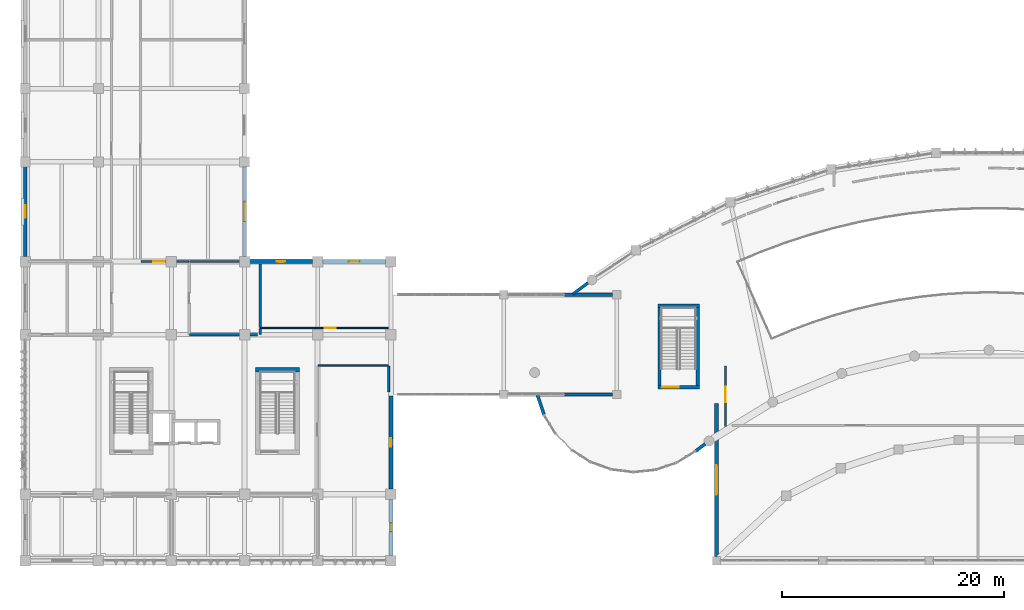
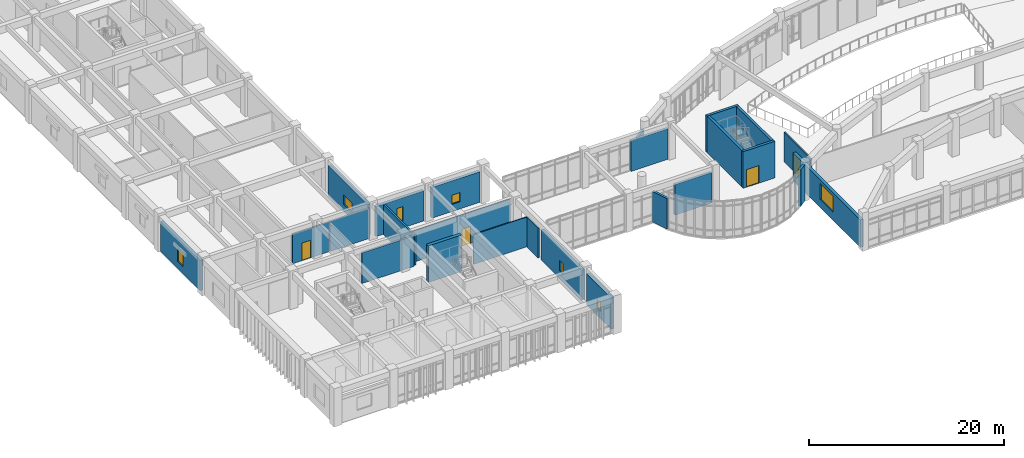
# One storey, part 49 of 68: 26 walls, 7 windows, 4 doors, 11 openings.
"""IFC4 building model written with IfcOpenShell, lengths in metres."""

from ifc_helpers import new_model, si_unit, direction, frame, frame_2d, origin, place, context, subcontext, project, spatial, rectangle, extrude, material, layer, layer_set, type_object, element, fill, save


model = new_model("IFC4")

# Units and contexts
model_context = context("Model", 3, precision=1e-05, world=origin(), true_north=direction((0.0, 1.0)))
body_context = subcontext(model_context, "Body", "Model", "MODEL_VIEW")
ifc_project = project(units=[si_unit("LENGTHUNIT", "METRE"), si_unit("AREAUNIT", "SQUARE_METRE"), si_unit("VOLUMEUNIT", "CUBIC_METRE"), si_unit("PLANEANGLEUNIT", "RADIAN"), si_unit("MASSUNIT", "GRAM", prefix="KILO")], contexts=[model_context])

# Site, building, storey
site_placement = place(None, origin())
site = spatial("IfcSite", under=ifc_project, at=site_placement, CompositionType="ELEMENT")
building_placement = place(site_placement, origin())
building = spatial("IfcBuilding", under=site, at=building_placement, Name="Miralva Faculty of Natural Sciences", CompositionType="ELEMENT")
storey_placement = place(building_placement, frame((0.0, 0.0, 5.39990234375)))
storey = spatial("IfcBuildingStorey", under=building, at=storey_placement, Name="L01", CompositionType="ELEMENT", Elevation=5.39990234375)

# Wall
ifc_material_1 = material(Name="Concrete C50/60", Category="concrete")
ifc_layer_1 = layer(ifc_material_1, 0.39990234375, Name="WL-CW01")
ifc_layer_set_1 = layer_set([ifc_layer_1], Name="Concrete C50/60")
wall_type_1 = type_object("IfcWallType", Name="WL-CW01", PredefinedType="SHEAR", material=ifc_layer_set_1)
wall_1_placement = place(storey_placement, frame((23.800048828125, 20.25, 0.0), z_axis=(0.0, 0.0, 1.0), x_axis=(1.0, 0.0, 0.0)))
element("IfcWall", 1, at=wall_1_placement, inside=storey, type_object=wall_type_1, Name="Core C1B shear wall north L01", PredefinedType="SHEAR", context=body_context, shape_type="SweptSolid", body=[
    extrude(rectangle(XDim=3.949951171875, YDim=0.39990234375, at=frame_2d((1.97509765625, 0.0))), origin(), (0.0, 0.0, 1.0), 4.580078125),
])

# Wall, opening, door
ifc_material_2 = material(Name="Concrete C40/50", Category="concrete")
ifc_layer_2 = layer(ifc_material_2, 0.300048828125, Name="WL-CW03")
ifc_layer_set_2 = layer_set([ifc_layer_2], Name="Concrete C40/50")
wall_type_2 = type_object("IfcWallType", Name="WL-CW03", PredefinedType="SHEAR", material=ifc_layer_set_2)
wall_2_placement = place(storey_placement, frame((60.10009765625, 18.64990234375, 0.0), z_axis=(0.0, 0.0, 1.0), x_axis=(1.0, 0.0, 0.0)))
wall_2 = element("IfcWall", 2, at=wall_2_placement, inside=storey, type_object=wall_type_2, Name="Core C6 shear wall south L01", PredefinedType="SHEAR", context=body_context, shape_type="SweptSolid", body=[
    extrude(rectangle(XDim=3.75, YDim=0.300048828125, at=frame_2d((1.875, 0.0))), origin(), (0.0, 0.0, 1.0), 4.580078125),
])
opening_1_placement = place(wall_2_placement, frame((0.39990234375, 0.0, 0.0)))
opening_1 = element("IfcOpeningElement", 3, at=opening_1_placement, cuts=wall_2, Name="Opening D-11", PredefinedType="OPENING", context=body_context, shape_type="SweptSolid", body=[
    extrude(rectangle(XDim=1.5, YDim=2.199951171875, at=frame_2d((0.75, 1.10009765625))), frame((0.0, 0.159912109375, 0.0), z_axis=(0.0, -1.0, 0.0), x_axis=(1.0, 0.0, 0.0)), (0.0, 0.0, 1.0), 0.320068359375),
])
ifc_material_3 = material(Name="Galvanised steel", Category="steel")
door_type_1 = type_object("IfcDoorType", Name="DR-DI11", OperationType="DOUBLE_DOOR_SINGLE_SWING", PredefinedType="DOOR", material=ifc_material_3)
door_1_placement = place(opening_1_placement, frame((1.5, 0.0, 0.0), z_axis=(0.0, 0.0, 1.0), x_axis=(-1.0, 0.0, 0.0)))
door_1 = element("IfcDoor", 4, at=door_1_placement, inside=storey, type_object=door_type_1, Name="Protected exit stair door Core C6 L01", OperationType="DOUBLE_DOOR_SINGLE_SWING", OverallHeight=2.199951171875, OverallWidth=1.5, PredefinedType="DOOR", context=body_context, shape_type="SweptSolid", body=[
    extrude(rectangle(XDim=1.5, YDim=2.199951171875, at=frame_2d((0.75, 1.10009765625))), frame((0.0, 0.02490234375, 0.0), z_axis=(0.0, -1.0, 0.0), x_axis=(1.0, 0.0, 0.0)), (0.0, 0.0, 1.0), 0.050048828125),
])
fill(opening_1, door_1)

# Walls
wall_3_placement = place(storey_placement, frame((60.10009765625, 26.0, 0.0), z_axis=(0.0, 0.0, 1.0), x_axis=(1.0, 0.0, 0.0)))
element("IfcWall", 5, at=wall_3_placement, inside=storey, type_object=wall_type_2, Name="Core C6 shear wall north L01", PredefinedType="SHEAR", context=body_context, shape_type="SweptSolid", body=[
    extrude(rectangle(XDim=3.75, YDim=0.300048828125, at=frame_2d((1.875, 0.0))), origin(), (0.0, 0.0, 1.0), 4.580078125),
])
for number, where, z_axis, x_axis, name in (
    (6, (60.25, 18.800048828125, 0.0), (0.0, 0.0, 1.0), (0.0, 1.0, 0.0), "Core C6 shear wall west L01"),
    (7, (63.699951171875, 18.800048828125, 0.0), (0.0, 0.0, 1.0), (0.0, 1.0, 0.0), "Core C6 shear wall east L01"),
):
    element("IfcWall", number, at=place(storey_placement, frame(where, z_axis=z_axis, x_axis=x_axis)), inside=storey, type_object=wall_type_2, Name=name, PredefinedType="SHEAR", context=body_context, shape_type="SweptSolid", body=[
        extrude(rectangle(XDim=7.050048828125, YDim=0.300048828125, at=frame_2d((3.52490234375, 0.0))), origin(), (0.0, 0.0, 1.0), 4.580078125),
    ])
ifc_material_4 = material(Name="Gypsum plasterboard")
ifc_layer_3 = layer(ifc_material_4, 0.179931640625, Name="WL-PT02")
ifc_layer_set_3 = layer_set([ifc_layer_3], Name="Gypsum plasterboard")
wall_type_3 = type_object("IfcWallType", Name="WL-PT02", PredefinedType="PARTITIONING", material=ifc_layer_set_3)
wall_4_placement = place(storey_placement, frame((35.800048828125, 18.22998046875, 0.0), z_axis=(0.0, 0.0, 1.0), x_axis=(0.0, 1.0, 0.0)))
element("IfcWall", 8, at=wall_4_placement, inside=storey, type_object=wall_type_3, Name="Interior partition PT-02 L01-159", PredefinedType="PARTITIONING", context=body_context, shape_type="SweptSolid", body=[
    extrude(rectangle(XDim=2.340087890625, YDim=0.179931640625, at=frame_2d((1.169921875, 0.0))), origin(), (0.0, 0.0, 1.0), 3.72509765625),
])

# Wall, opening, door
wall_5_placement = place(storey_placement, frame((13.429931640625, 30.0, 0.0), z_axis=(0.0, 0.0, 1.0), x_axis=(1.0, 0.0, 0.0)))
wall_5 = element("IfcWall", 9, at=wall_5_placement, inside=storey, type_object=wall_type_3, Name="Interior partition PT-02 L01-172", PredefinedType="PARTITIONING", context=body_context, shape_type="SweptSolid", body=[
    extrude(rectangle(XDim=4.340087890625, YDim=0.179931640625, at=frame_2d((2.169921875, 0.0))), origin(), (0.0, 0.0, 1.0), 3.695068359375),
])
opening_2_placement = place(wall_5_placement, frame((1.10498046875, 0.0, 0.0)))
opening_2 = element("IfcOpeningElement", 10, at=opening_2_placement, cuts=wall_5, Name="Opening D-15", PredefinedType="OPENING", context=body_context, shape_type="SweptSolid", body=[
    extrude(rectangle(XDim=1.050048828125, YDim=2.199951171875, at=frame_2d((0.52490234375, 1.10009765625))), frame((0.0, 0.099853515625, 0.0), z_axis=(0.0, -1.0, 0.0), x_axis=(1.0, 0.0, 0.0)), (0.0, 0.0, 1.0), 0.199951171875),
])
door_type_2 = type_object("IfcDoorType", Name="DR-DI15", OperationType="NOTDEFINED", PredefinedType="DOOR", material=ifc_material_3)
door_2_placement = place(opening_2_placement, origin())
door_2 = element("IfcDoor", 11, at=door_2_placement, inside=storey, type_object=door_type_2, Name="Interior door D-15 L01-65", OperationType="SINGLE_SWING_LEFT", OverallHeight=2.199951171875, OverallWidth=1.050048828125, PredefinedType="DOOR", context=body_context, shape_type="SweptSolid", body=[
    extrude(rectangle(XDim=1.050048828125, YDim=2.199951171875, at=frame_2d((0.52490234375, 1.10009765625))), frame((0.0, 0.02490234375, 0.0), z_axis=(0.0, -1.0, 0.0), x_axis=(1.0, 0.0, 0.0)), (0.0, 0.0, 1.0), 0.050048828125),
])
fill(opening_2, door_2)

wall_6_placement = place(storey_placement, frame((66.199951171875, 15.104736328125, 0.0), z_axis=(0.0, 0.0, 1.0), x_axis=(0.0, 1.0, 0.0)))
wall_6 = element("IfcWall", 12, at=wall_6_placement, inside=storey, type_object=wall_type_3, Name="Interior partition PT-02 L01-196", PredefinedType="PARTITIONING", context=body_context, shape_type="SweptSolid", body=[
    extrude(rectangle(XDim=5.46533203125, YDim=0.179931640625, at=frame_2d((2.732666015625, 0.0))), origin(), (0.0, 0.0, 1.0), 3.675048828125),
])
opening_3_placement = place(wall_6_placement, frame((2.212646484375, 0.0, 0.0)))
opening_3 = element("IfcOpeningElement", 13, at=opening_3_placement, cuts=wall_6, Name="Opening D-14", PredefinedType="OPENING", context=body_context, shape_type="SweptSolid", body=[
    extrude(rectangle(XDim=1.39990234375, YDim=2.199951171875, at=frame_2d((0.699951171875, 1.10009765625))), frame((0.0, 0.099853515625, 0.0), z_axis=(0.0, -1.0, 0.0), x_axis=(1.0, 0.0, 0.0)), (0.0, 0.0, 1.0), 0.199951171875),
])
door_type_3 = type_object("IfcDoorType", Name="DR-DI14", OperationType="DOUBLE_DOOR_SINGLE_SWING", PredefinedType="DOOR", material=ifc_material_3)
door_3_placement = place(opening_3_placement, origin())
door_3 = element("IfcDoor", 14, at=door_3_placement, inside=storey, type_object=door_type_3, Name="Interior door D-14 L01-69", OperationType="DOUBLE_DOOR_SINGLE_SWING", OverallHeight=2.199951171875, OverallWidth=1.39990234375, PredefinedType="DOOR", context=body_context, shape_type="SweptSolid", body=[
    extrude(rectangle(XDim=1.39990234375, YDim=2.199951171875, at=frame_2d((0.699951171875, 1.10009765625))), frame((0.0, 0.02490234375, 0.0), z_axis=(0.0, -1.0, 0.0), x_axis=(1.0, 0.0, 0.0)), (0.0, 0.0, 1.0), 0.050048828125),
])
fill(opening_3, door_3)

# Wall
ifc_layer_4 = layer(ifc_material_4, 0.125, Name="WL-PT05")
ifc_layer_set_4 = layer_set([ifc_layer_4], Name="Gypsum plasterboard")
wall_type_4 = type_object("IfcWallType", Name="WL-PT05", PredefinedType="PARTITIONING", material=ifc_layer_set_4)
wall_7_placement = place(storey_placement, frame((29.429931640625, 20.60009765625, 0.0), z_axis=(0.0, 0.0, 1.0), x_axis=(1.0, 0.0, 0.0)))
element("IfcWall", 15, at=wall_7_placement, inside=storey, type_object=wall_type_4, Name="Interior partition PT-05 L01-158", PredefinedType="PARTITIONING", context=body_context, shape_type="SweptSolid", body=[
    extrude(rectangle(XDim=6.340087890625, YDim=0.125, at=frame_2d((3.169921875, 0.0))), origin(), (0.0, 0.0, 1.0), 3.72509765625),
])

# Wall, opening, door
wall_8_placement = place(storey_placement, frame((24.22998046875, 24.0, 0.0), z_axis=(0.0, 0.0, 1.0), x_axis=(1.0, 0.0, 0.0)))
wall_8 = element("IfcWall", 16, at=wall_8_placement, inside=storey, type_object=wall_type_4, Name="Interior partition PT-05 L01-171", PredefinedType="PARTITIONING", context=body_context, shape_type="SweptSolid", body=[
    extrude(rectangle(XDim=11.5400390625, YDim=0.125, at=frame_2d((5.77001953125, 0.0))), origin(), (0.0, 0.0, 1.0), 3.905029296875),
])
opening_4_placement = place(wall_8_placement, frame((5.81005859375, 0.0, 0.0)))
opening_4 = element("IfcOpeningElement", 17, at=opening_4_placement, cuts=wall_8, Name="Opening D-25", PredefinedType="OPENING", context=body_context, shape_type="SweptSolid", body=[
    extrude(rectangle(XDim=1.0, YDim=2.14990234375, at=frame_2d((0.5, 1.074951171875))), frame((0.0, 0.072509765625, 0.0), z_axis=(0.0, -1.0, 0.0), x_axis=(1.0, 0.0, 0.0)), (0.0, 0.0, 1.0), 0.14501953125),
])
ifc_material_5 = material(Name="Anodised aluminium", Category="aluminium")
door_type_4 = type_object("IfcDoorType", Name="DR-DI25", OperationType="NOTDEFINED", PredefinedType="DOOR", material=ifc_material_5)
door_4_placement = place(opening_4_placement, origin())
door_4 = element("IfcDoor", 18, at=door_4_placement, inside=storey, type_object=door_type_4, Name="Interior door D-25 L01-64", OperationType="SINGLE_SWING_RIGHT", OverallHeight=2.14990234375, OverallWidth=1.0, PredefinedType="DOOR", context=body_context, shape_type="SweptSolid", body=[
    extrude(rectangle(XDim=1.0, YDim=2.14990234375, at=frame_2d((0.5, 1.074951171875))), frame((0.0, 0.02490234375, 0.0), z_axis=(0.0, -1.0, 0.0), x_axis=(1.0, 0.0, 0.0)), (0.0, 0.0, 1.0), 0.050048828125),
])
fill(opening_4, door_4)

# Walls
ifc_layer_5 = layer(ifc_material_4, 0.2099609375, Name="WL-PT06")
ifc_layer_set_5 = layer_set([ifc_layer_5], Name="Gypsum plasterboard")
wall_type_5 = type_object("IfcWallType", Name="WL-PT06", PredefinedType="PLUMBINGWALL", material=ifc_layer_set_5)
wall_9_placement = place(storey_placement, frame((24.199951171875, 24.030029296875, 0.0), z_axis=(0.0, 0.0, 1.0), x_axis=(0.0, 1.0, 0.0)))
element("IfcWall", 19, at=wall_9_placement, inside=storey, type_object=wall_type_5, Name="Interior partition PT-06 L01-166", PredefinedType="PLUMBINGWALL", context=body_context, shape_type="SweptSolid", body=[
    extrude(rectangle(XDim=5.739990234375, YDim=0.2099609375, at=frame_2d((2.8701171875, 0.0))), origin(), (0.0, 0.0, 1.0), 3.755126953125),
])
wall_10_placement = place(storey_placement, frame((24.199951171875, 23.429931640625, 0.0), z_axis=(0.0, 0.0, 1.0), x_axis=(0.0, 1.0, 0.0)))
element("IfcWall", 20, at=wall_10_placement, inside=storey, type_object=wall_type_5, Name="Interior partition PT-06 L01-167", PredefinedType="PLUMBINGWALL", context=body_context, shape_type="SweptSolid", body=[
    extrude(rectangle(XDim=0.5400390625, YDim=0.2099609375, at=frame_2d((0.27001953125, 0.0))), origin(), (0.0, 0.0, 1.0), 3.8251953125),
])
wall_11_placement = place(storey_placement, frame((17.830078125, 23.39990234375, 0.0), z_axis=(0.0, 0.0, 1.0), x_axis=(1.0, 0.0, 0.0)))
element("IfcWall", 21, at=wall_11_placement, inside=storey, type_object=wall_type_5, Name="Interior partition PT-06 L01-169", PredefinedType="PLUMBINGWALL", context=body_context, shape_type="SweptSolid", body=[
    extrude(rectangle(XDim=6.139892578125, YDim=0.2099609375, at=frame_2d((3.06982421875, 0.0))), origin(), (0.0, 0.0, 1.0), 3.8251953125),
])
wall_12_placement = place(storey_placement, frame((17.830078125, 30.0, 0.0), z_axis=(0.0, 0.0, 1.0), x_axis=(1.0, 0.0, 0.0)))
element("IfcWall", 22, at=wall_12_placement, inside=storey, type_object=wall_type_5, Name="Interior partition PT-06 L01-170", PredefinedType="PLUMBINGWALL", context=body_context, shape_type="SweptSolid", body=[
    extrude(rectangle(XDim=4.739990234375, YDim=0.2099609375, at=frame_2d((2.3701171875, 0.0))), origin(), (0.0, 0.0, 1.0), 3.72509765625),
])

# Wall, opening, window
ifc_material_6 = material(Name="Volcanic tuff architectural stone", Category="masonry")
ifc_layer_6 = layer(ifc_material_6, 0.360107421875, Name="WL-WT01")
ifc_layer_set_6 = layer_set([ifc_layer_6], Name="Volcanic tuff architectural stone")
wall_type_6 = type_object("IfcWallType", Name="WL-WT01", PredefinedType="SOLIDWALL", material=ifc_layer_set_6)
wall_13_placement = place(storey_placement, frame((65.39990234375, 3.364990234375, 0.0), z_axis=(0.0, 0.0, 1.0), x_axis=(0.0, 1.0, 0.0)))
wall_13 = element("IfcWall", 23, at=wall_13_placement, inside=storey, type_object=wall_type_6, Name="Exterior wall L01-59", PredefinedType="SOLIDWALL", context=body_context, shape_type="SweptSolid", body=[
    extrude(rectangle(XDim=13.8349609375, YDim=0.360107421875, at=frame_2d((6.91748046875, 0.0))), origin(), (0.0, 0.0, 1.0), 3.445068359375),
])
opening_5_placement = place(wall_13_placement, frame((5.5673828125, 0.0, 1.0)))
opening_5 = element("IfcOpeningElement", 24, at=opening_5_placement, cuts=wall_13, Name="Opening W-08", PredefinedType="OPENING", context=body_context, shape_type="SweptSolid", body=[
    extrude(rectangle(XDim=2.699951171875, YDim=2.0, at=frame_2d((1.35009765625, 1.0))), frame((0.0, 0.18994140625, 0.0), z_axis=(0.0, -1.0, 0.0), x_axis=(1.0, 0.0, 0.0)), (0.0, 0.0, 1.0), 0.380126953125),
])
ifc_material_7 = material(Name="Laminated solar-control glass", Category="glass")
window_type_1 = type_object("IfcWindowType", Name="WN-W08", PartitioningType="TRIPLE_PANEL_VERTICAL", PredefinedType="WINDOW", material=ifc_material_7)
window_1_placement = place(opening_5_placement, origin())
window_1 = element("IfcWindow", 25, at=window_1_placement, inside=storey, type_object=window_type_1, Name="Window W-08 L01-8", OverallHeight=2.0, OverallWidth=2.699951171875, PartitioningType="TRIPLE_PANEL_VERTICAL", PredefinedType="WINDOW", context=body_context, shape_type="SweptSolid", body=[
    extrude(rectangle(XDim=2.699951171875, YDim=2.0, at=frame_2d((1.35009765625, 1.0))), frame((0.0, 0.030029296875, 0.0), z_axis=(0.0, -1.0, 0.0), x_axis=(1.0, 0.0, 0.0)), (0.0, 0.0, 1.0), 0.06005859375),
])
fill(opening_5, window_1)

wall_14_placement = place(storey_placement, frame((36.0, 3.465087890625, 0.0), z_axis=(0.0, 0.0, 1.0), x_axis=(0.0, 1.0, 0.0)))
wall_14 = element("IfcWall", 26, at=wall_14_placement, inside=storey, type_object=wall_type_6, Name="Exterior wall L01-73", PredefinedType="SOLIDWALL", context=body_context, shape_type="SweptSolid", body=[
    extrude(rectangle(XDim=5.06982421875, YDim=0.360107421875, at=frame_2d((2.534912109375, 0.0))), origin(), (0.0, 0.0, 1.0), 3.925048828125),
])
opening_6_placement = place(wall_14_placement, frame((2.159912109375, 0.0, 0.89990234375)))
opening_6 = element("IfcOpeningElement", 27, at=opening_6_placement, cuts=wall_14, Name="Opening W-41", PredefinedType="OPENING", context=body_context, shape_type="SweptSolid", body=[
    extrude(rectangle(XDim=0.75, YDim=1.14990234375, at=frame_2d((0.375, 0.574951171875))), frame((0.0, 0.18994140625, 0.0), z_axis=(0.0, -1.0, 0.0), x_axis=(1.0, 0.0, 0.0)), (0.0, 0.0, 1.0), 0.380126953125),
])
window_type_2 = type_object("IfcWindowType", Name="WN-W41", PartitioningType="DOUBLE_PANEL_VERTICAL", PredefinedType="WINDOW", material=ifc_material_7)
window_2_placement = place(opening_6_placement, frame((0.75, 0.0, 0.0), z_axis=(0.0, 0.0, 1.0), x_axis=(-1.0, 0.0, 0.0)))
window_2 = element("IfcWindow", 28, at=window_2_placement, inside=storey, type_object=window_type_2, Name="Window W-41 L01-19", OverallHeight=1.14990234375, OverallWidth=0.75, PartitioningType="DOUBLE_PANEL_VERTICAL", PredefinedType="WINDOW", context=body_context, shape_type="SweptSolid", body=[
    extrude(rectangle(XDim=0.75, YDim=1.14990234375, at=frame_2d((0.375, 0.574951171875))), frame((0.0, 0.030029296875, 0.0), z_axis=(0.0, -1.0, 0.0), x_axis=(1.0, 0.0, 0.0)), (0.0, 0.0, 1.0), 0.06005859375),
])
fill(opening_6, window_2)

wall_15_placement = place(storey_placement, frame((36.0, 9.465087890625, 0.0), z_axis=(0.0, 0.0, 1.0), x_axis=(0.0, 1.0, 0.0)))
wall_15 = element("IfcWall", 29, at=wall_15_placement, inside=storey, type_object=wall_type_6, Name="Exterior wall L01-74", PredefinedType="SOLIDWALL", context=body_context, shape_type="SweptSolid", body=[
    extrude(rectangle(XDim=8.385009765625, YDim=0.360107421875, at=frame_2d((4.1923828125, 0.0))), origin(), (0.0, 0.0, 1.0), 3.72509765625),
])
opening_7_placement = place(wall_15_placement, frame((3.8173828125, 0.0, 0.89990234375)))
opening_7 = element("IfcOpeningElement", 30, at=opening_7_placement, cuts=wall_15, Name="Opening W-42", PredefinedType="OPENING", context=body_context, shape_type="SweptSolid", body=[
    extrude(rectangle(XDim=0.75, YDim=1.35009765625, at=frame_2d((0.375, 0.675048828125))), frame((0.0, 0.18994140625, 0.0), z_axis=(0.0, -1.0, 0.0), x_axis=(1.0, 0.0, 0.0)), (0.0, 0.0, 1.0), 0.380126953125),
])
window_type_3 = type_object("IfcWindowType", Name="WN-W42", PartitioningType="DOUBLE_PANEL_VERTICAL", PredefinedType="WINDOW", material=ifc_material_7)
window_3_placement = place(opening_7_placement, frame((0.75, 0.0, 0.0), z_axis=(0.0, 0.0, 1.0), x_axis=(-1.0, 0.0, 0.0)))
window_3 = element("IfcWindow", 31, at=window_3_placement, inside=storey, type_object=window_type_3, Name="Window W-42 L01-20", OverallHeight=1.35009765625, OverallWidth=0.75, PartitioningType="DOUBLE_PANEL_VERTICAL", PredefinedType="WINDOW", context=body_context, shape_type="SweptSolid", body=[
    extrude(rectangle(XDim=0.75, YDim=1.35009765625, at=frame_2d((0.375, 0.675048828125))), frame((0.0, 0.030029296875, 0.0), z_axis=(0.0, -1.0, 0.0), x_axis=(1.0, 0.0, 0.0)), (0.0, 0.0, 1.0), 0.06005859375),
])
fill(opening_7, window_3)

wall_16_placement = place(storey_placement, frame((23.2548828125, 30.0, 0.0), z_axis=(0.0, 0.0, 1.0), x_axis=(1.0, 0.0, 0.0)))
wall_16 = element("IfcWall", 32, at=wall_16_placement, inside=storey, type_object=wall_type_6, Name="Exterior wall L01-75", PredefinedType="SOLIDWALL", context=body_context, shape_type="SweptSolid", body=[
    extrude(rectangle(XDim=5.68017578125, YDim=0.360107421875, at=frame_2d((2.840087890625, 0.0))), origin(), (0.0, 0.0, 1.0), 3.755126953125),
])
opening_8_placement = place(wall_16_placement, frame((2.465087890625, 0.0, 0.89990234375)))
opening_8 = element("IfcOpeningElement", 33, at=opening_8_placement, cuts=wall_16, Name="Opening W-44", PredefinedType="OPENING", context=body_context, shape_type="SweptSolid", body=[
    extrude(rectangle(XDim=0.75, YDim=1.75, at=frame_2d((0.375, 0.875))), frame((0.0, 0.18994140625, 0.0), z_axis=(0.0, -1.0, 0.0), x_axis=(1.0, 0.0, 0.0)), (0.0, 0.0, 1.0), 0.380126953125),
])
window_type_4 = type_object("IfcWindowType", Name="WN-W44", PartitioningType="DOUBLE_PANEL_VERTICAL", PredefinedType="WINDOW", material=ifc_material_7)
window_4_placement = place(opening_8_placement, origin())
window_4 = element("IfcWindow", 34, at=window_4_placement, inside=storey, type_object=window_type_4, Name="Window W-44 L01-21", OverallHeight=1.75, OverallWidth=0.75, PartitioningType="DOUBLE_PANEL_VERTICAL", PredefinedType="WINDOW", context=body_context, shape_type="SweptSolid", body=[
    extrude(rectangle(XDim=0.75, YDim=1.75, at=frame_2d((0.375, 0.875))), frame((0.0, 0.030029296875, 0.0), z_axis=(0.0, -1.0, 0.0), x_axis=(1.0, 0.0, 0.0)), (0.0, 0.0, 1.0), 0.06005859375),
])
fill(opening_8, window_4)

wall_17_placement = place(storey_placement, frame((29.85498046875, 30.0, 0.0), z_axis=(0.0, 0.0, 1.0), x_axis=(1.0, 0.0, 0.0)))
wall_17 = element("IfcWall", 35, at=wall_17_placement, inside=storey, type_object=wall_type_6, Name="Exterior wall L01-76", PredefinedType="SOLIDWALL", context=body_context, shape_type="SweptSolid", body=[
    extrude(rectangle(XDim=5.68994140625, YDim=0.360107421875, at=frame_2d((2.844970703125, 0.0))), origin(), (0.0, 0.0, 1.0), 3.8251953125),
])
opening_9_placement = place(wall_17_placement, frame((2.3701171875, 0.0, 0.89990234375)))
opening_9 = element("IfcOpeningElement", 36, at=opening_9_placement, cuts=wall_17, Name="Opening W-45", PredefinedType="OPENING", context=body_context, shape_type="SweptSolid", body=[
    extrude(rectangle(XDim=0.949951171875, YDim=1.14990234375, at=frame_2d((0.47509765625, 0.574951171875))), frame((0.0, 0.18994140625, 0.0), z_axis=(0.0, -1.0, 0.0), x_axis=(1.0, 0.0, 0.0)), (0.0, 0.0, 1.0), 0.380126953125),
])
window_type_5 = type_object("IfcWindowType", Name="WN-W45", PartitioningType="DOUBLE_PANEL_VERTICAL", PredefinedType="WINDOW", material=ifc_material_7)
window_5_placement = place(opening_9_placement, origin())
window_5 = element("IfcWindow", 37, at=window_5_placement, inside=storey, type_object=window_type_5, Name="Window W-45 L01-22", OverallHeight=1.14990234375, OverallWidth=0.949951171875, PartitioningType="DOUBLE_PANEL_VERTICAL", PredefinedType="WINDOW", context=body_context, shape_type="SweptSolid", body=[
    extrude(rectangle(XDim=0.949951171875, YDim=1.14990234375, at=frame_2d((0.47509765625, 0.574951171875))), frame((0.0, 0.030029296875, 0.0), z_axis=(0.0, -1.0, 0.0), x_axis=(1.0, 0.0, 0.0)), (0.0, 0.0, 1.0), 0.06005859375),
])
fill(opening_9, window_5)

ifc_material_8 = material(Name="Precast concrete C40/50", Category="concrete")
ifc_layer_7 = layer(ifc_material_8, 0.320068359375, Name="WL-WT02")
ifc_layer_set_7 = layer_set([ifc_layer_7], Name="Precast concrete C40/50")
wall_type_7 = type_object("IfcWallType", Name="WL-WT02", PredefinedType="SOLIDWALL", material=ifc_layer_set_7)
wall_18_placement = place(storey_placement, frame((3.0, 30.455078125, 0.0), z_axis=(0.0, 0.0, 1.0), x_axis=(0.0, 1.0, 0.0)))
wall_18 = element("IfcWall", 38, at=wall_18_placement, inside=storey, type_object=wall_type_7, Name="Exterior wall L01-177", PredefinedType="SOLIDWALL", context=body_context, shape_type="SweptSolid", body=[
    extrude(rectangle(XDim=8.10986328125, YDim=0.320068359375, at=frame_2d((4.054931640625, 0.0))), origin(), (0.0, 0.0, 1.0), 3.775146484375),
])
opening_10_placement = place(wall_18_placement, frame((3.47998046875, 0.0, 0.89990234375)))
opening_10 = element("IfcOpeningElement", 39, at=opening_10_placement, cuts=wall_18, Name="Opening W-51", PredefinedType="OPENING", context=body_context, shape_type="SweptSolid", body=[
    extrude(rectangle(XDim=1.14990234375, YDim=1.550048828125, at=frame_2d((0.574951171875, 0.77490234375))), frame((0.0, 0.169921875, 0.0), z_axis=(0.0, -1.0, 0.0), x_axis=(1.0, 0.0, 0.0)), (0.0, 0.0, 1.0), 0.340087890625),
])
window_type_6 = type_object("IfcWindowType", Name="WN-W51", PartitioningType="DOUBLE_PANEL_VERTICAL", PredefinedType="WINDOW", material=ifc_material_7)
window_6_placement = place(opening_10_placement, origin())
window_6 = element("IfcWindow", 40, at=window_6_placement, inside=storey, type_object=window_type_6, Name="Window W-51 L01-114", OverallHeight=1.550048828125, OverallWidth=1.14990234375, PartitioningType="DOUBLE_PANEL_VERTICAL", PredefinedType="WINDOW", context=body_context, shape_type="SweptSolid", body=[
    extrude(rectangle(XDim=1.14990234375, YDim=1.550048828125, at=frame_2d((0.574951171875, 0.77490234375))), frame((0.0, 0.030029296875, 0.0), z_axis=(0.0, -1.0, 0.0), x_axis=(1.0, 0.0, 0.0)), (0.0, 0.0, 1.0), 0.06005859375),
])
fill(opening_10, window_6)

wall_19_placement = place(storey_placement, frame((22.800048828125, 30.455078125, 0.0), z_axis=(0.0, 0.0, 1.0), x_axis=(0.0, 1.0, 0.0)))
wall_19 = element("IfcWall", 41, at=wall_19_placement, inside=storey, type_object=wall_type_7, Name="Exterior wall L01-187", PredefinedType="SOLIDWALL", context=body_context, shape_type="SweptSolid", body=[
    extrude(rectangle(XDim=8.10986328125, YDim=0.320068359375, at=frame_2d((4.054931640625, 0.0))), origin(), (0.0, 0.0, 1.0), 3.8251953125),
])
opening_11_placement = place(wall_19_placement, frame((3.179931640625, 0.0, 0.89990234375)))
opening_11 = element("IfcOpeningElement", 42, at=opening_11_placement, cuts=wall_19, Name="Opening W-61", PredefinedType="OPENING", context=body_context, shape_type="SweptSolid", body=[
    extrude(rectangle(XDim=1.75, YDim=1.14990234375, at=frame_2d((0.875, 0.574951171875))), frame((0.0, 0.169921875, 0.0), z_axis=(0.0, -1.0, 0.0), x_axis=(1.0, 0.0, 0.0)), (0.0, 0.0, 1.0), 0.340087890625),
])
window_type_7 = type_object("IfcWindowType", Name="WN-W61", PartitioningType="DOUBLE_PANEL_VERTICAL", PredefinedType="WINDOW", material=ifc_material_7)
window_7_placement = place(opening_11_placement, frame((1.75, 0.0, 0.0), z_axis=(0.0, 0.0, 1.0), x_axis=(-1.0, 0.0, 0.0)))
window_7 = element("IfcWindow", 43, at=window_7_placement, inside=storey, type_object=window_type_7, Name="Window W-61 L01-124", OverallHeight=1.14990234375, OverallWidth=1.75, PartitioningType="DOUBLE_PANEL_VERTICAL", PredefinedType="WINDOW", context=body_context, shape_type="SweptSolid", body=[
    extrude(rectangle(XDim=1.75, YDim=1.14990234375, at=frame_2d((0.875, 0.574951171875))), frame((0.0, 0.030029296875, 0.0), z_axis=(0.0, -1.0, 0.0), x_axis=(1.0, 0.0, 0.0)), (0.0, 0.0, 1.0), 0.06005859375),
])
fill(opening_11, window_7)

# Walls
ifc_layer_8 = layer(ifc_material_8, 0.2900390625, Name="WL-WT03")
ifc_layer_set_8 = layer_set([ifc_layer_8], Name="Precast concrete C40/50")
wall_type_8 = type_object("IfcWallType", Name="WL-WT03", PredefinedType="SOLIDWALL", material=ifc_layer_set_8)
wall_20_placement = place(storey_placement, frame((63.526611328125, 12.884521484375, 0.0), z_axis=(0.0, 0.0, 1.0), x_axis=(0.798608971494, 0.601850239387, 0.0)))
element("IfcWall", 44, at=wall_20_placement, inside=storey, type_object=wall_type_8, Name="Exterior wall L01-24", PredefinedType="SOLIDWALL", context=body_context, shape_type="SweptSolid", body=[
    extrude(rectangle(XDim=1.07568359375, YDim=0.2900390625, at=frame_2d((0.537841796875, 0.0))), origin(), (0.0, 0.0, 1.0), 4.550048828125),
])
wall_21_placement = place(storey_placement, frame((49.191650390625, 18.0615234375, 0.0), z_axis=(0.0, 0.0, 1.0), x_axis=(0.32082801478, -0.947137468867, 0.0)))
element("IfcWall", 45, at=wall_21_placement, inside=storey, type_object=wall_type_8, Name="Exterior wall L01-29", PredefinedType="SOLIDWALL", context=body_context, shape_type="SweptSolid", body=[
    extrude(rectangle(XDim=2.020263671875, YDim=0.2900390625, at=frame_2d((1.01025390625, 0.0))), origin(), (0.0, 0.0, 1.0), 3.80517578125),
])
wall_22_placement = place(storey_placement, frame((51.675048828125, 18.0, 0.0), z_axis=(0.0, 0.0, 1.0), x_axis=(1.0, 0.0, 0.0)))
element("IfcWall", 46, at=wall_22_placement, inside=storey, type_object=wall_type_8, Name="Exterior wall L01-355", PredefinedType="SOLIDWALL", context=body_context, shape_type="SweptSolid", body=[
    extrude(rectangle(XDim=4.35986328125, YDim=0.2900390625, at=frame_2d((2.179931640625, 0.0))), origin(), (0.0, 0.0, 1.0), 3.80517578125),
])
wall_23_placement = place(storey_placement, frame((51.675048828125, 27.0, 0.0), z_axis=(0.0, 0.0, 1.0), x_axis=(1.0, 0.0, 0.0)))
element("IfcWall", 47, at=wall_23_placement, inside=storey, type_object=wall_type_8, Name="Exterior wall L01-357", PredefinedType="SOLIDWALL", context=body_context, shape_type="SweptSolid", body=[
    extrude(rectangle(XDim=4.35986328125, YDim=0.2900390625, at=frame_2d((2.179931640625, 0.0))), origin(), (0.0, 0.0, 1.0), 3.815185546875),
])
ifc_layer_9 = layer(ifc_material_6, 0.27001953125, Name="WL-WT04")
ifc_layer_set_9 = layer_set([ifc_layer_9], Name="Volcanic tuff architectural stone")
wall_type_9 = type_object("IfcWallType", Name="WL-WT04", PredefinedType="SOLIDWALL", material=ifc_layer_set_9)
wall_24_placement = place(storey_placement, frame((52.444580078125, 27.068603515625, 0.0), z_axis=(0.0, 0.0, 1.0), x_axis=(0.798641279354, 0.601807366947, 0.0)))
element("IfcWall", 48, at=wall_24_placement, inside=storey, type_object=wall_type_9, Name="Exterior wall L01-26", PredefinedType="SOLIDWALL", context=body_context, shape_type="SweptSolid", body=[
    extrude(rectangle(XDim=1.684326171875, YDim=0.27001953125, at=frame_2d((0.84228515625, 0.0))), origin(), (0.0, 0.0, 1.0), 3.815185546875),
])

save(model, "model.ifc")
